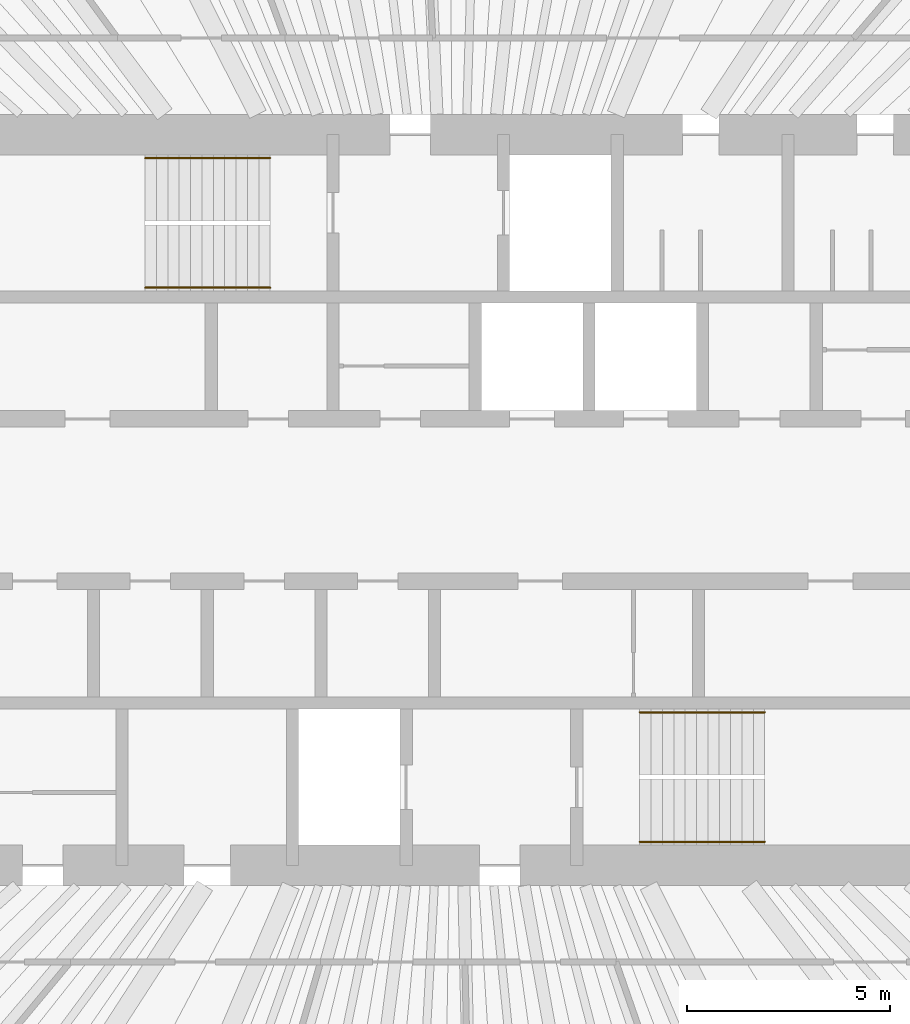
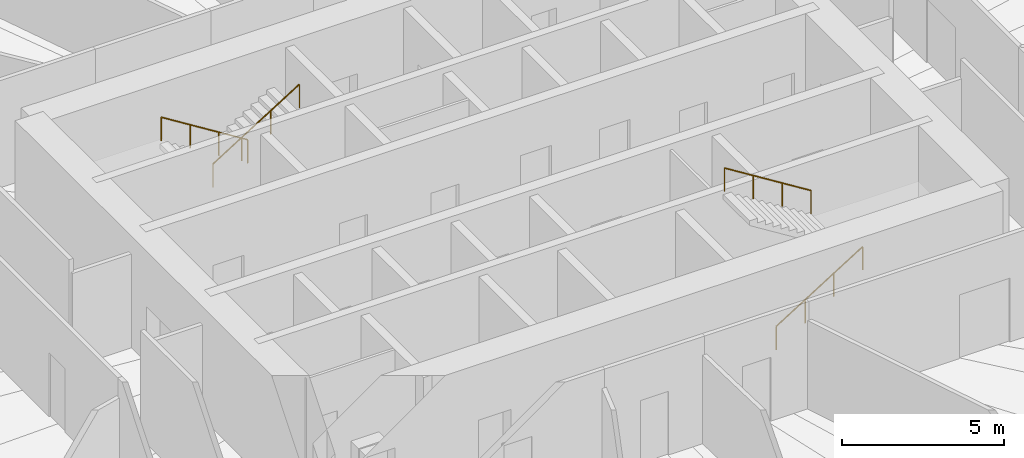
# One storey, part 14 of 14: 4 railings.
"""IFC4 building model written with IfcOpenShell, lengths in metres."""

from ifc_helpers import new_model, si_unit, direction, frame, origin, origin_2d, place, context, subcontext, project, spatial, circle, extrude, material, type_object, element, save


model = new_model("IFC4")

# Units and contexts
model_context = context("Model", 3, precision=1e-05, world=origin(), true_north=direction((0.0, 1.0)))
body_context = subcontext(model_context, "Body", "Model", "MODEL_VIEW")
ifc_project = project(units=[si_unit("LENGTHUNIT", "METRE"), si_unit("AREAUNIT", "SQUARE_METRE"), si_unit("VOLUMEUNIT", "CUBIC_METRE"), si_unit("PLANEANGLEUNIT", "RADIAN"), si_unit("MASSUNIT", "GRAM", prefix="KILO")], contexts=[model_context])

# Site, building, storey
site_placement = place(None, origin())
site = spatial("IfcSite", under=ifc_project, at=site_placement, CompositionType="ELEMENT")
building_placement = place(site_placement, origin())
building = spatial("IfcBuilding", under=site, at=building_placement, Name="Qingtian Harvest Tower", CompositionType="ELEMENT")
storey_placement = place(building_placement, frame((0.0, 0.0, 270.39990234375)))
storey = spatial("IfcBuildingStorey", under=building, at=storey_placement, Name="L59", CompositionType="ELEMENT", Elevation=270.39990234375)

# Railings
ifc_material = material(Name="Stainless steel handrail", Category="steel")
railing_type = type_object("IfcRailingType", Name="Handrail HR1", PredefinedType="HANDRAIL", material=ifc_material)
railing_1_placement = place(storey_placement, frame((-4.550048828125, 8.419921875, 0.175048828125)))
element("IfcRailing", 1, at=railing_1_placement, inside=storey, type_object=railing_type, Name="Handrail HR1 S1 flight 1", PredefinedType="HANDRAIL", context=body_context, shape_type="SweptSolid", body=[
    extrude(circle(Radius=0.02392578125, at=origin_2d()), frame((0.0, 0.0, 0.8759765625), z_axis=(-0.847979421464, 0.0, 0.530029150871), x_axis=(0.0, -1.0, 0.0)), (0.0, 0.0, 1.0), 3.632080078125),
    extrude(circle(Radius=0.02099609375, at=origin_2d()), origin(), (0.0, 0.0, 1.0), 0.851806640625),
    extrude(circle(Radius=0.02099609375, at=origin_2d()), frame((-1.026611328125, 0.0, 0.6416015625)), (0.0, 0.0, 1.0), 0.851806640625),
    extrude(circle(Radius=0.02099609375, at=origin_2d()), frame((-2.05322265625, 0.0, 1.283447265625)), (0.0, 0.0, 1.0), 0.851806640625),
    extrude(circle(Radius=0.02099609375, at=origin_2d()), frame((-3.079833984375, 0.0, 1.925048828125)), (0.0, 0.0, 1.0), 0.851806640625),
])
for number, where, name in (
    (2, (-7.6298828125, 5.22998046875, 2.275146484375), "Handrail HR1 S1 flight 2"),
    (3, (4.550048828125, -8.419921875, 0.175048828125), "Handrail HR1 S2 flight 1"),
):
    element("IfcRailing", number, at=place(storey_placement, frame(where)), inside=storey, type_object=railing_type, Name=name, PredefinedType="HANDRAIL", context=body_context, shape_type="SweptSolid", body=[
        extrude(circle(Radius=0.02392578125, at=origin_2d()), frame((0.0, 0.0, 0.8759765625), z_axis=(0.847979421464, 0.0, 0.530029150871), x_axis=(0.0, 1.0, 0.0)), (0.0, 0.0, 1.0), 3.632080078125),
        extrude(circle(Radius=0.02099609375, at=origin_2d()), origin(), (0.0, 0.0, 1.0), 0.851806640625),
        extrude(circle(Radius=0.02099609375, at=origin_2d()), frame((1.026611328125, 0.0, 0.6416015625)), (0.0, 0.0, 1.0), 0.851806640625),
        extrude(circle(Radius=0.02099609375, at=origin_2d()), frame((2.05322265625, 0.0, 1.283447265625)), (0.0, 0.0, 1.0), 0.851806640625),
        extrude(circle(Radius=0.02099609375, at=origin_2d()), frame((3.079833984375, 0.0, 1.925048828125)), (0.0, 0.0, 1.0), 0.851806640625),
    ])
railing_2_placement = place(storey_placement, frame((7.6298828125, -5.22998046875, 2.275146484375)))
element("IfcRailing", 4, at=railing_2_placement, inside=storey, type_object=railing_type, Name="Handrail HR1 S2 flight 2", PredefinedType="HANDRAIL", context=body_context, shape_type="SweptSolid", body=[
    extrude(circle(Radius=0.02392578125, at=origin_2d()), frame((0.0, 0.0, 0.8759765625), z_axis=(-0.847979421464, 0.0, 0.530029150871), x_axis=(0.0, -1.0, 0.0)), (0.0, 0.0, 1.0), 3.632080078125),
    extrude(circle(Radius=0.02099609375, at=origin_2d()), origin(), (0.0, 0.0, 1.0), 0.851806640625),
    extrude(circle(Radius=0.02099609375, at=origin_2d()), frame((-1.026611328125, 0.0, 0.6416015625)), (0.0, 0.0, 1.0), 0.851806640625),
    extrude(circle(Radius=0.02099609375, at=origin_2d()), frame((-2.05322265625, 0.0, 1.283447265625)), (0.0, 0.0, 1.0), 0.851806640625),
    extrude(circle(Radius=0.02099609375, at=origin_2d()), frame((-3.079833984375, 0.0, 1.925048828125)), (0.0, 0.0, 1.0), 0.851806640625),
])

save(model, "model.ifc")
